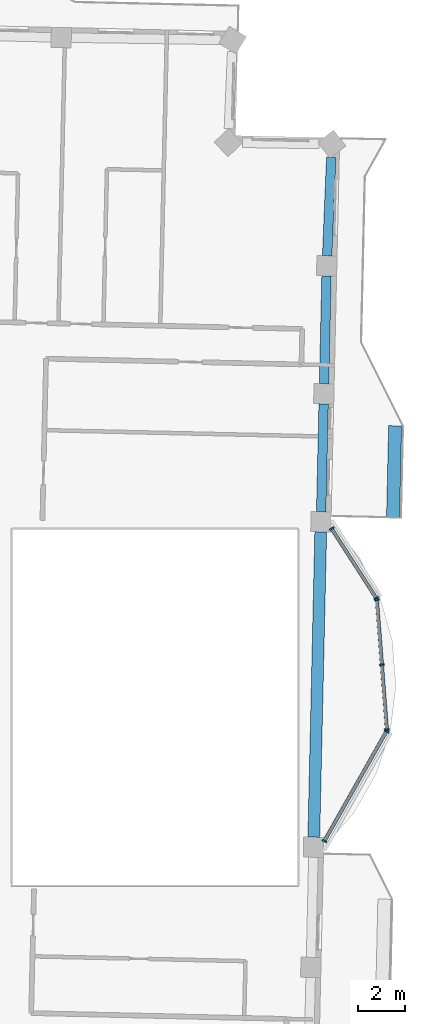
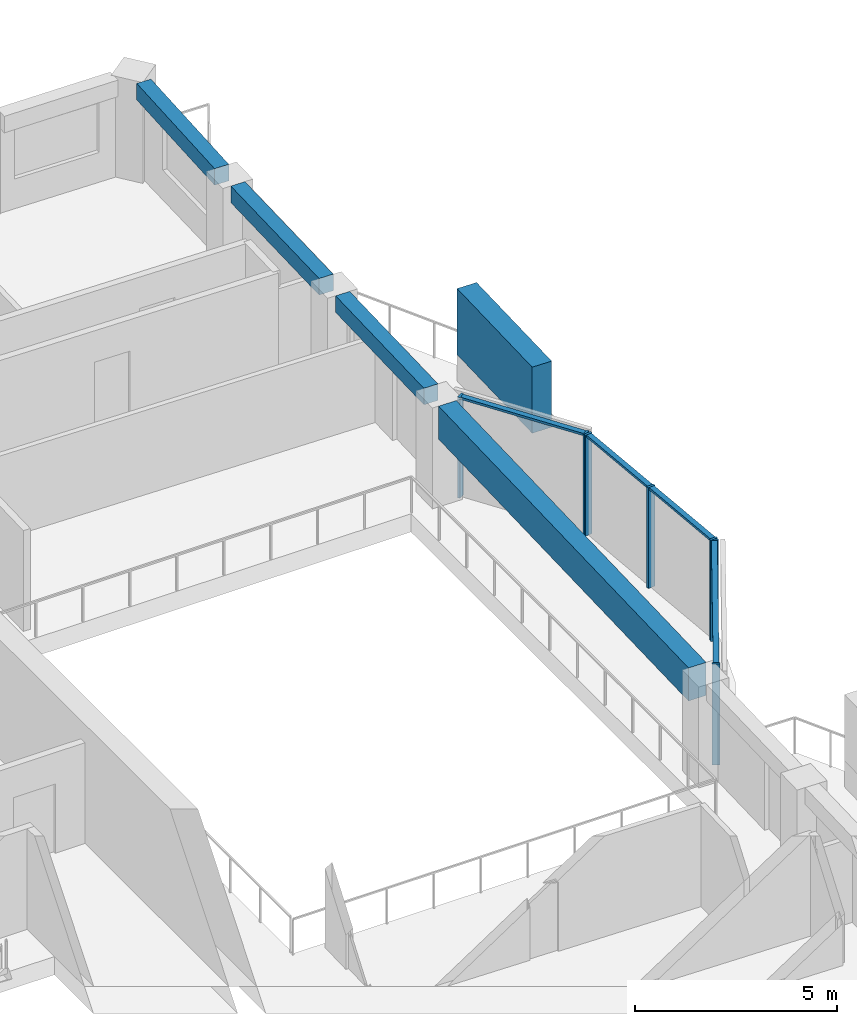
# One storey, part 2 of 15: 12 members, 4 beams, 3 elements without a shape of their own.
"""IFC4 building model written with IfcOpenShell, lengths in metres."""

from ifc_helpers import new_model, si_unit, direction, frame, origin, origin_2d, place, context, subcontext, project, spatial, rectangle, extrude, material, material_profile, profile_set, type_object, element, aggregate, save


model = new_model("IFC4")

# Units and contexts
model_context = context("Model", 3, precision=1e-05, world=origin(), true_north=direction((0.0, 1.0)))
body_context = subcontext(model_context, "Body", "Model", "MODEL_VIEW")
ifc_project = project(units=[si_unit("LENGTHUNIT", "METRE"), si_unit("AREAUNIT", "SQUARE_METRE"), si_unit("VOLUMEUNIT", "CUBIC_METRE"), si_unit("PLANEANGLEUNIT", "RADIAN"), si_unit("MASSUNIT", "GRAM", prefix="KILO")], contexts=[model_context])

# Site, building, storey
site_placement = place(None, origin())
site = spatial("IfcSite", under=ifc_project, at=site_placement, CompositionType="ELEMENT")
building_placement = place(site_placement, origin())
building = spatial("IfcBuilding", under=site, at=building_placement, Name="Mangrove Gate Tower", CompositionType="ELEMENT")
storey_placement = place(building_placement, frame((0.0, 0.0, 316.89990234375)))
storey = spatial("IfcBuildingStorey", under=building, at=storey_placement, Name="L81", CompositionType="ELEMENT", Elevation=316.89990234375)

# Curtain wall, members
ifc_material_1 = material(Name="Aluminium and glass curtain wall", Category="aluminium")
curtain_wall_type = type_object("IfcCurtainWallType", Name="Atrium garden-court glazing wall", PredefinedType="NOTDEFINED", material=ifc_material_1)
curtain_wall_1_placement = place(storey_placement, origin())
curtain_wall_1 = element("IfcCurtainWall", 1, at=curtain_wall_1_placement, inside=storey, type_object=curtain_wall_type, Name="Atrium garden-court glazing E1f1", PredefinedType="NOTDEFINED")
ifc_material_2 = material(Name="Aluminium alloy 6063-T6", Category="aluminium")
ifc_material_profile_1 = material_profile(ifc_material_2, rectangle(XDim=0.070068359375, YDim=0.199951171875, at=origin_2d()))
ifc_profile_set_1 = profile_set([ifc_material_profile_1], Name="Aluminium alloy 6063-T6")
member_type_1 = type_object("IfcMemberType", Name="Atrium garden-court glazing mullion 70x200", PredefinedType="MULLION", material=ifc_profile_set_1)
member_1_placement = place(storey_placement, frame((29.06884765625, -5.647216796875, 0.0), z_axis=(0.0, 0.0, 1.0), x_axis=(0.4925871539, 0.870263118725, 0.0)))
member_1 = element("IfcMember", 2, at=member_1_placement, type_object=member_type_1, Name="CWA mullion 1", PredefinedType="MULLION", context=body_context, shape_type="SweptSolid", body=[
    extrude(rectangle(XDim=0.070068359375, YDim=0.199951171875, at=origin_2d()), origin(), (0.0, 0.0, 1.0), 3.050048828125),
])
member_2_placement = place(storey_placement, frame((31.693359375, -1.01025390625, 0.0), z_axis=(0.0, 0.0, 1.0), x_axis=(0.4925871539, 0.870263118725, 0.0)))
member_2 = element("IfcMember", 3, at=member_2_placement, type_object=member_type_1, Name="CWA mullion 2", PredefinedType="MULLION", context=body_context, shape_type="SweptSolid", body=[
    extrude(rectangle(XDim=0.070068359375, YDim=0.199951171875, at=origin_2d()), origin(), (0.0, 0.0, 1.0), 3.050048828125),
])

curtain_wall_2_placement = place(storey_placement, origin())
curtain_wall_2 = element("IfcCurtainWall", 4, at=curtain_wall_2_placement, inside=storey, type_object=curtain_wall_type, Name="Atrium garden-court glazing E1f2", PredefinedType="NOTDEFINED")
member_3_placement = place(storey_placement, frame((31.7080078125, -0.94482421875, 0.0), z_axis=(0.0, 0.0, 1.0), x_axis=(-0.077023348212, 0.997029289354, 0.0)))
member_3 = element("IfcMember", 5, at=member_3_placement, type_object=member_type_1, Name="CWA mullion 1", PredefinedType="MULLION", context=body_context, shape_type="SweptSolid", body=[
    extrude(rectangle(XDim=0.070068359375, YDim=0.199951171875, at=origin_2d()), origin(), (0.0, 0.0, 1.0), 3.050048828125),
])
member_4_placement = place(storey_placement, frame((31.495849609375, 1.798583984375, 0.0), z_axis=(0.0, 0.0, 1.0), x_axis=(-0.077023348212, 0.997029289354, 0.0)))
member_4 = element("IfcMember", 6, at=member_4_placement, type_object=member_type_1, Name="CWA mullion 2", PredefinedType="MULLION", context=body_context, shape_type="SweptSolid", body=[
    extrude(rectangle(XDim=0.070068359375, YDim=0.199951171875, at=origin_2d()), origin(), (0.0, 0.0, 1.0), 3.050048828125),
])
member_5_placement = place(storey_placement, frame((31.283935546875, 4.542236328125, 0.0), z_axis=(0.0, 0.0, 1.0), x_axis=(-0.077023348212, 0.997029289354, 0.0)))
member_5 = element("IfcMember", 7, at=member_5_placement, type_object=member_type_1, Name="CWA mullion 3", PredefinedType="MULLION", context=body_context, shape_type="SweptSolid", body=[
    extrude(rectangle(XDim=0.070068359375, YDim=0.199951171875, at=origin_2d()), origin(), (0.0, 0.0, 1.0), 3.050048828125),
])

curtain_wall_3_placement = place(storey_placement, origin())
curtain_wall_3 = element("IfcCurtainWall", 8, at=curtain_wall_3_placement, inside=storey, type_object=curtain_wall_type, Name="Atrium garden-court glazing E1f3", PredefinedType="NOTDEFINED")
member_6_placement = place(storey_placement, frame((31.262451171875, 4.606689453125, 0.0), z_axis=(0.0, 0.0, 1.0), x_axis=(-0.540512472211, 0.841336001479, 0.0)))
member_6 = element("IfcMember", 9, at=member_6_placement, type_object=member_type_1, Name="CWA mullion 1", PredefinedType="MULLION", context=body_context, shape_type="SweptSolid", body=[
    extrude(rectangle(XDim=0.070068359375, YDim=0.199951171875, at=origin_2d()), origin(), (0.0, 0.0, 1.0), 3.050048828125),
])
member_7_placement = place(storey_placement, frame((29.371337890625, 7.550048828125, 0.0), z_axis=(0.0, 0.0, 1.0), x_axis=(-0.540512472211, 0.841336001479, 0.0)))
member_7 = element("IfcMember", 10, at=member_7_placement, type_object=member_type_1, Name="CWA mullion 2", PredefinedType="MULLION", context=body_context, shape_type="SweptSolid", body=[
    extrude(rectangle(XDim=0.070068359375, YDim=0.199951171875, at=origin_2d()), origin(), (0.0, 0.0, 1.0), 3.050048828125),
])

# Member
ifc_material_3 = material(Name="Aluminium alloy 6063-T6", Category="aluminium")
ifc_material_profile_2 = material_profile(ifc_material_3, rectangle(XDim=0.070068359375, YDim=0.14990234375, at=origin_2d()))
ifc_profile_set_2 = profile_set([ifc_material_profile_2], Name="Aluminium alloy 6063-T6")
member_type_2 = type_object("IfcMemberType", Name="Atrium garden-court glazing transom 70x150", PredefinedType="USERDEFINED", material=ifc_profile_set_2)
member_8_placement = place(storey_placement, frame((29.0859375, -5.61669921875, 3.01513671875), z_axis=(0.492589594548, 0.870261737262, 0.0), x_axis=(0.0, 0.0, 1.0)))
member_8 = element("IfcMember", 11, at=member_8_placement, type_object=member_type_2, Name="CWA transom 1.2", ObjectType="TRANSOM", PredefinedType="USERDEFINED", context=body_context, shape_type="SweptSolid", body=[
    extrude(rectangle(XDim=0.070068359375, YDim=0.14990234375, at=origin_2d()), origin(), (0.0, 0.0, 1.0), 5.258056640625),
])

aggregate(curtain_wall_1, [member_1, member_2, member_8])

member_9_placement = place(storey_placement, frame((31.705322265625, -0.909912109375, 3.01513671875), z_axis=(-0.077114223205, 0.997022264836, 0.0), x_axis=(0.0, 0.0, 1.0)))
member_9 = element("IfcMember", 12, at=member_9_placement, type_object=member_type_2, Name="CWA transom 1.2", ObjectType="TRANSOM", PredefinedType="USERDEFINED", context=body_context, shape_type="SweptSolid", body=[
    extrude(rectangle(XDim=0.070068359375, YDim=0.14990234375, at=origin_2d()), origin(), (0.0, 0.0, 1.0), 2.681640625),
])

member_10_placement = place(storey_placement, frame((31.4931640625, 1.83349609375, 3.01513671875), z_axis=(-0.07701672858, 0.997029800718, 0.0), x_axis=(0.0, 0.0, 1.0)))
member_10 = element("IfcMember", 13, at=member_10_placement, type_object=member_type_2, Name="CWA transom 2.2", ObjectType="TRANSOM", PredefinedType="USERDEFINED", context=body_context, shape_type="SweptSolid", body=[
    extrude(rectangle(XDim=0.070068359375, YDim=0.14990234375, at=origin_2d()), origin(), (0.0, 0.0, 1.0), 2.681884765625),
])

aggregate(curtain_wall_2, [member_3, member_4, member_5, member_9, member_10])

member_11_placement = place(storey_placement, frame((31.243408203125, 4.635986328125, 3.01513671875), z_axis=(-0.540455251262, 0.841372760067, 0.0), x_axis=(0.0, 0.0, 1.0)))
member_11 = element("IfcMember", 14, at=member_11_placement, type_object=member_type_2, Name="CWA transom 1.2", ObjectType="TRANSOM", PredefinedType="USERDEFINED", context=body_context, shape_type="SweptSolid", body=[
    extrude(rectangle(XDim=0.070068359375, YDim=0.14990234375, at=origin_2d()), origin(), (0.0, 0.0, 1.0), 3.4287109375),
])

aggregate(curtain_wall_3, [member_6, member_7, member_11])

ifc_material_4 = material(Name="Planting on aluminium trellis", Category="aluminium")
ifc_material_profile_3 = material_profile(ifc_material_4, rectangle(XDim=0.550048828125, YDim=2.0, at=origin_2d()))
ifc_profile_set_3 = profile_set([ifc_material_profile_3], Name="Planting on aluminium trellis")
member_type_3 = type_object("IfcMemberType", Name="Balcony greenery screen 550x2000", PredefinedType="USERDEFINED", material=ifc_profile_set_3)
member_12_placement = place(storey_placement, frame((31.968017578125, 8.014892578125, 1.800048828125), z_axis=(0.022681332769, 0.999742745482, 0.0), x_axis=(-0.999742745482, 0.022681332769, 0.0)))
element("IfcMember", 15, at=member_12_placement, inside=storey, type_object=member_type_3, Name="GREEN SCREEN L81 E1.1", ObjectType="PLANTING", PredefinedType="USERDEFINED", context=body_context, shape_type="SweptSolid", body=[
    extrude(rectangle(XDim=0.550048828125, YDim=2.0, at=origin_2d()), origin(), (0.0, 0.0, 1.0), 3.875),
])

# Beams
ifc_material_5 = material(Name="Concrete C50/60", Category="concrete")
ifc_material_profile_4 = material_profile(ifc_material_5, rectangle(XDim=0.39990234375, YDim=0.5, at=origin_2d()))
ifc_profile_set_4 = profile_set([ifc_material_profile_4], Name="Concrete C50/60")
beam_type_1 = type_object("IfcBeamType", Name="Edge beam RC 400x500 C50/60", PredefinedType="BEAM", material=ifc_profile_set_4)
beam_1_placement = place(storey_placement, frame((28.932861328125, 8.259521484375, 2.800048828125), z_axis=(0.022709239016, 0.999742111979, 0.0), x_axis=(-0.999742111979, 0.022709239016, 0.0)))
element("IfcBeam", 16, at=beam_1_placement, inside=storey, type_object=beam_type_1, Name="Edge beam L81 18", PredefinedType="BEAM", context=body_context, shape_type="SweptSolid", body=[
    extrude(rectangle(XDim=0.39990234375, YDim=0.5, at=origin_2d()), origin(), (0.0, 0.0, 1.0), 4.558349609375),
])
beam_2_placement = place(storey_placement, frame((29.0556640625, 13.66650390625, 2.800048828125), z_axis=(0.022553473027, 0.999745638077, 0.0), x_axis=(-0.999745638077, 0.022553473027, 0.0)))
element("IfcBeam", 17, at=beam_2_placement, inside=storey, type_object=beam_type_1, Name="Edge beam L81 19", PredefinedType="BEAM", context=body_context, shape_type="SweptSolid", body=[
    extrude(rectangle(XDim=0.39990234375, YDim=0.5, at=origin_2d()), origin(), (0.0, 0.0, 1.0), 4.557373046875),
])
beam_3_placement = place(storey_placement, frame((29.185546875, 19.072265625, 2.800048828125), z_axis=(0.041318069487, 0.999146043946, 0.0), x_axis=(-0.999146043946, 0.041318069487, 0.0)))
element("IfcBeam", 18, at=beam_3_placement, inside=storey, type_object=beam_type_1, Name="Edge beam L81 20", PredefinedType="BEAM", context=body_context, shape_type="SweptSolid", body=[
    extrude(rectangle(XDim=0.39990234375, YDim=0.5, at=origin_2d()), origin(), (0.0, 0.0, 1.0), 4.159912109375),
])
ifc_material_6 = material(Name="Concrete C50/60", Category="concrete")
ifc_material_profile_5 = material_profile(ifc_material_6, rectangle(XDim=0.5, YDim=1.0, at=origin_2d()))
ifc_profile_set_5 = profile_set([ifc_material_profile_5], Name="Concrete C50/60")
beam_type_2 = type_object("IfcBeamType", Name="Edge beam RC 500x1000 C50/60", PredefinedType="BEAM", material=ifc_profile_set_5)
beam_4_placement = place(storey_placement, frame((28.620849609375, -5.487548828125, 2.550048828125), z_axis=(0.022690883298, 0.999742528762, 0.0), x_axis=(-0.999742528762, 0.022690883298, 0.0)))
element("IfcBeam", 19, at=beam_4_placement, inside=storey, type_object=beam_type_2, Name="Edge beam L81 17", PredefinedType="BEAM", context=body_context, shape_type="SweptSolid", body=[
    extrude(rectangle(XDim=0.5, YDim=1.0, at=origin_2d()), origin(), (0.0, 0.0, 1.0), 12.900634765625),
])

save(model, "model.ifc")
